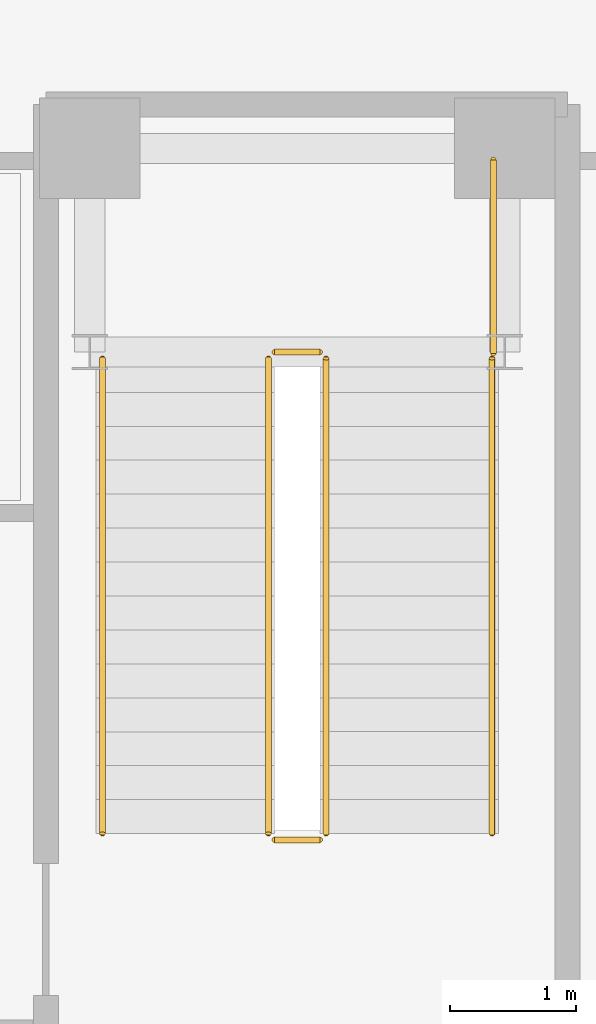
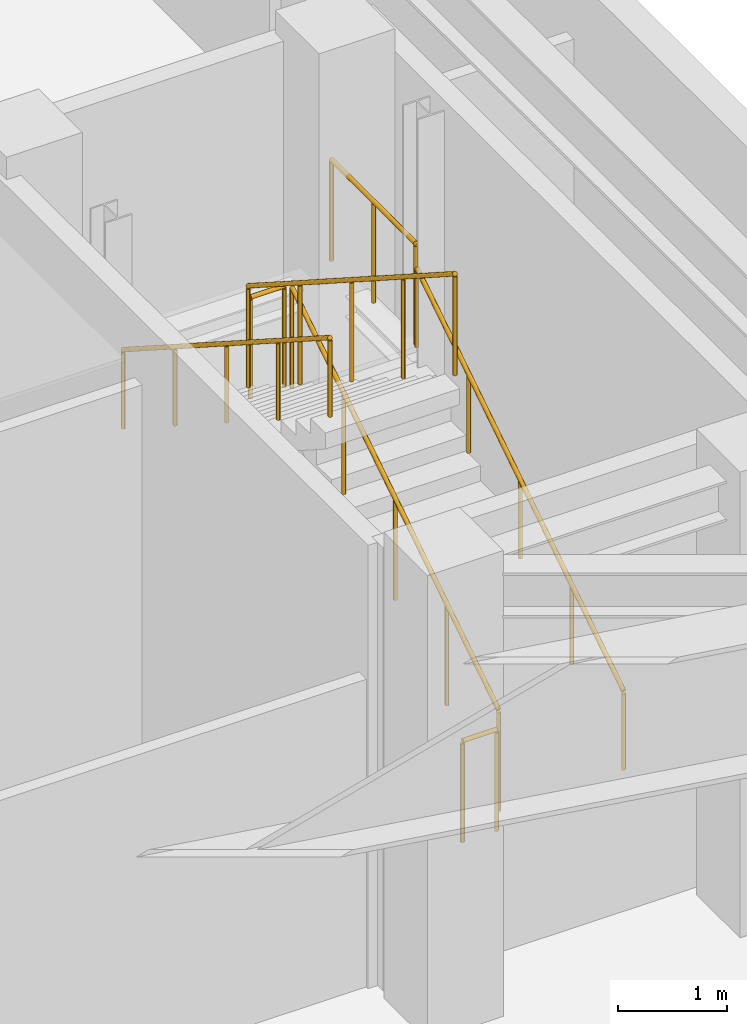
# One storey, part 27 of 27: 7 railings.
"""IFC4 building model written with IfcOpenShell, lengths in metres."""

from ifc_helpers import new_model, si_unit, direction, frame, origin, origin_2d, place, context, subcontext, project, spatial, circle, extrude, material, layer, layer_set, type_object, element, save


model = new_model("IFC4")

# Units and contexts
model_context = context("Model", 3, precision=1e-05, world=origin(), true_north=direction((0.0, 1.0)))
body_context = subcontext(model_context, "Body", "Model", "MODEL_VIEW")
ifc_project = project(units=[si_unit("LENGTHUNIT", "METRE"), si_unit("AREAUNIT", "SQUARE_METRE"), si_unit("VOLUMEUNIT", "CUBIC_METRE"), si_unit("PLANEANGLEUNIT", "RADIAN"), si_unit("MASSUNIT", "GRAM", prefix="KILO")], contexts=[model_context])

# Site, building, storey
site_placement = place(None, origin())
site = spatial("IfcSite", under=ifc_project, at=site_placement, CompositionType="ELEMENT")
building_placement = place(site_placement, origin())
building = spatial("IfcBuilding", under=site, at=building_placement, Name="Terralouvre Media Tower", CompositionType="ELEMENT")
storey_placement = place(building_placement, frame((0.0, 0.0, 15.60009765625)))
storey = spatial("IfcBuildingStorey", under=building, at=storey_placement, Name="L03", CompositionType="ELEMENT", Elevation=15.60009765625)

# Railings
ifc_material_1 = material(Name="Stainless steel 316 handrail and balustrade", Category="steel")
ifc_layer_1 = layer(ifc_material_1, 0.050048828125, Name="Stair Flight Wall Handrail HR-INT1")
ifc_layer_set_1 = layer_set([ifc_layer_1], Name="Stainless steel 316 handrail and balustrade")
railing_type_1 = type_object("IfcRailingType", Name="Stair Flight Wall Handrail HR-INT1", PredefinedType="HANDRAIL", material=ifc_layer_set_1)
railing_1_placement = place(storey_placement, frame((34.14990234375, 5.85009765625, 0.17333984375)))
element("IfcRailing", 1, at=railing_1_placement, inside=storey, type_object=railing_type_1, Name="L03 ST-04 stair handrail 1", PredefinedType="HANDRAIL", context=body_context, shape_type="SweptSolid", body=[
    extrude(circle(Radius=0.02392578125, at=origin_2d()), frame((0.0, 0.0, 0.8759765625), z_axis=(0.0, 0.84151738831, 0.540230029868), x_axis=(-1.0, 0.0, 0.0)), (0.0, 0.0, 1.0), 4.49169921875),
    extrude(circle(Radius=0.02099609375, at=origin_2d()), origin(), (0.0, 0.0, 1.0), 0.851806640625),
    extrude(circle(Radius=0.02099609375, at=origin_2d()), frame((0.0, 0.94482421875, 0.606689453125)), (0.0, 0.0, 1.0), 0.851806640625),
    extrude(circle(Radius=0.02099609375, at=origin_2d()), frame((0.0, 1.889892578125, 1.21337890625)), (0.0, 0.0, 1.0), 0.851806640625),
    extrude(circle(Radius=0.02099609375, at=origin_2d()), frame((0.0, 2.8349609375, 1.81982421875)), (0.0, 0.0, 1.0), 0.851806640625),
    extrude(circle(Radius=0.02099609375, at=origin_2d()), frame((0.0, 3.77978515625, 2.426513671875)), (0.0, 0.0, 1.0), 0.851806640625),
])
railing_2_placement = place(storey_placement, frame((31.050048828125, 9.6298828125, 2.773193359375)))
element("IfcRailing", 2, at=railing_2_placement, inside=storey, type_object=railing_type_1, Name="L03 ST-04 stair handrail 2", PredefinedType="HANDRAIL", context=body_context, shape_type="SweptSolid", body=[
    extrude(circle(Radius=0.02392578125, at=origin_2d()), frame((0.0, 0.0, 0.8759765625), z_axis=(0.0, -0.841492677865, 0.540268519441), x_axis=(1.0, 0.0, 0.0)), (0.0, 0.0, 1.0), 4.49169921875),
    extrude(circle(Radius=0.02099609375, at=origin_2d()), origin(), (0.0, 0.0, 1.0), 0.851806640625),
    extrude(circle(Radius=0.02099609375, at=origin_2d()), frame((0.0, -0.94482421875, 0.606689453125)), (0.0, 0.0, 1.0), 0.851806640625),
    extrude(circle(Radius=0.02099609375, at=origin_2d()), frame((0.0, -1.889892578125, 1.21337890625)), (0.0, 0.0, 1.0), 0.851806640625),
    extrude(circle(Radius=0.02099609375, at=origin_2d()), frame((0.0, -2.8349609375, 1.820068359375)), (0.0, 0.0, 1.0), 0.851806640625),
    extrude(circle(Radius=0.02099609375, at=origin_2d()), frame((0.0, -3.77978515625, 2.4267578125)), (0.0, 0.0, 1.0), 0.851806640625),
])
ifc_material_2 = material(Name="Stainless steel 316 handrail and balustrade", Category="steel")
ifc_layer_2 = layer(ifc_material_2, 0.050048828125, Name="Stairwell Safety Guardrail GR-INT1")
ifc_layer_set_2 = layer_set([ifc_layer_2], Name="Stainless steel 316 handrail and balustrade")
railing_type_2 = type_object("IfcRailingType", Name="Stairwell Safety Guardrail GR-INT1", PredefinedType="GUARDRAIL", material=ifc_layer_set_2)
railing_3_placement = place(storey_placement, frame((32.830078125, 5.85009765625, 0.17333984375)))
element("IfcRailing", 3, at=railing_3_placement, inside=storey, type_object=railing_type_2, Name="L03 ST-04 stair guard 1", PredefinedType="GUARDRAIL", context=body_context, shape_type="SweptSolid", body=[
    extrude(circle(Radius=0.02392578125, at=origin_2d()), frame((0.0, 0.0, 1.1259765625), z_axis=(0.0, 0.84151738831, 0.540230029868), x_axis=(-1.0, 0.0, 0.0)), (0.0, 0.0, 1.0), 4.49169921875),
    extrude(circle(Radius=0.02099609375, at=origin_2d()), origin(), (0.0, 0.0, 1.0), 1.101806640625),
    extrude(circle(Radius=0.02099609375, at=origin_2d()), frame((0.0, 0.94482421875, 0.606689453125)), (0.0, 0.0, 1.0), 1.101806640625),
    extrude(circle(Radius=0.02099609375, at=origin_2d()), frame((0.0, 1.889892578125, 1.21337890625)), (0.0, 0.0, 1.0), 1.101806640625),
    extrude(circle(Radius=0.02099609375, at=origin_2d()), frame((0.0, 2.8349609375, 1.81982421875)), (0.0, 0.0, 1.0), 1.101806640625),
    extrude(circle(Radius=0.02099609375, at=origin_2d()), frame((0.0, 3.77978515625, 2.426513671875)), (0.0, 0.0, 1.0), 1.101806640625),
])
railing_4_placement = place(storey_placement, frame((32.780029296875, 9.679931640625, 2.599853515625)))
element("IfcRailing", 4, at=railing_4_placement, inside=storey, type_object=railing_type_2, Name="L03 ST-04 stair guard 2", PredefinedType="GUARDRAIL", context=body_context, shape_type="SweptSolid", body=[
    extrude(circle(Radius=0.02392578125, at=origin_2d()), frame((0.0, 0.0, 1.1259765625), z_axis=(-1.0, 0.0, 0.0), x_axis=(0.0, -1.0, 0.0)), (0.0, 0.0, 1.0), 0.360107421875),
    extrude(circle(Radius=0.02099609375, at=origin_2d()), origin(), (0.0, 0.0, 1.0), 1.101806640625),
    extrude(circle(Radius=0.02099609375, at=origin_2d()), frame((-0.360107421875, 0.0, 0.0)), (0.0, 0.0, 1.0), 1.101806640625),
])
railing_5_placement = place(storey_placement, frame((32.3701171875, 9.6298828125, 2.773193359375)))
element("IfcRailing", 5, at=railing_5_placement, inside=storey, type_object=railing_type_2, Name="L03 ST-04 stair guard 3", PredefinedType="GUARDRAIL", context=body_context, shape_type="SweptSolid", body=[
    extrude(circle(Radius=0.02392578125, at=origin_2d()), frame((0.0, 0.0, 1.1259765625), z_axis=(0.0, -0.841492677865, 0.540268519441), x_axis=(1.0, 0.0, 0.0)), (0.0, 0.0, 1.0), 4.49169921875),
    extrude(circle(Radius=0.02099609375, at=origin_2d()), origin(), (0.0, 0.0, 1.0), 1.101806640625),
    extrude(circle(Radius=0.02099609375, at=origin_2d()), frame((0.0, -0.94482421875, 0.606689453125)), (0.0, 0.0, 1.0), 1.101806640625),
    extrude(circle(Radius=0.02099609375, at=origin_2d()), frame((0.0, -1.889892578125, 1.21337890625)), (0.0, 0.0, 1.0), 1.101806640625),
    extrude(circle(Radius=0.02099609375, at=origin_2d()), frame((0.0, -2.8349609375, 1.820068359375)), (0.0, 0.0, 1.0), 1.101806640625),
    extrude(circle(Radius=0.02099609375, at=origin_2d()), frame((0.0, -3.77978515625, 2.4267578125)), (0.0, 0.0, 1.0), 1.101806640625),
])
railing_6_placement = place(storey_placement, frame((32.780029296875, 5.800048828125, 0.0)))
element("IfcRailing", 6, at=railing_6_placement, inside=storey, type_object=railing_type_2, Name="L03 ST-04 stair guard 4", PredefinedType="GUARDRAIL", context=body_context, shape_type="SweptSolid", body=[
    extrude(circle(Radius=0.02392578125, at=origin_2d()), frame((0.0, 0.0, 1.1259765625), z_axis=(-1.0, 0.0, 0.0), x_axis=(0.0, -1.0, 0.0)), (0.0, 0.0, 1.0), 0.360107421875),
    extrude(circle(Radius=0.02099609375, at=origin_2d()), origin(), (0.0, 0.0, 1.0), 1.101806640625),
    extrude(circle(Radius=0.02099609375, at=origin_2d()), frame((-0.360107421875, 0.0, 0.0)), (0.0, 0.0, 1.0), 1.101806640625),
])
railing_7_placement = place(storey_placement, frame((34.159912109375, 9.669921875, 2.599853515625)))
element("IfcRailing", 7, at=railing_7_placement, inside=storey, type_object=railing_type_2, Name="L03 ST-04 Half-Landing Outer Guardrail", PredefinedType="GUARDRAIL", context=body_context, shape_type="SweptSolid", body=[
    extrude(circle(Radius=0.02392578125, at=origin_2d()), frame((0.0, 0.0, 1.1259765625), z_axis=(0.0, 1.0, 0.0), x_axis=(-1.0, 0.0, 0.0)), (0.0, 0.0, 1.0), 1.5400390625),
    extrude(circle(Radius=0.02099609375, at=origin_2d()), origin(), (0.0, 0.0, 1.0), 1.101806640625),
    extrude(circle(Radius=0.02099609375, at=origin_2d()), frame((0.0, 0.77001953125, 0.0)), (0.0, 0.0, 1.0), 1.101806640625),
    extrude(circle(Radius=0.02099609375, at=origin_2d()), frame((0.0, 1.5400390625, 0.0)), (0.0, 0.0, 1.0), 1.101806640625),
])

save(model, "model.ifc")
